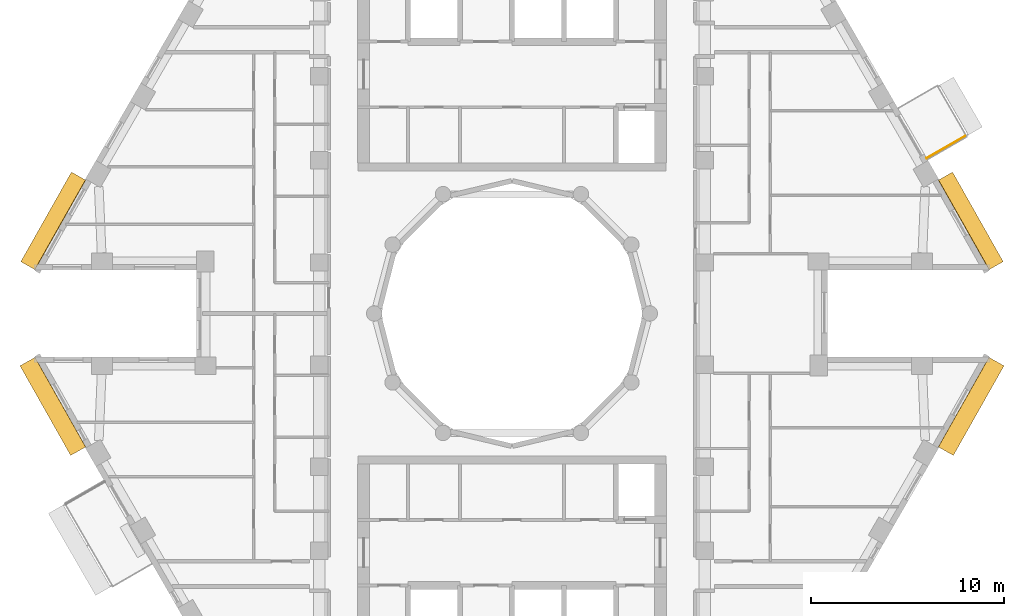
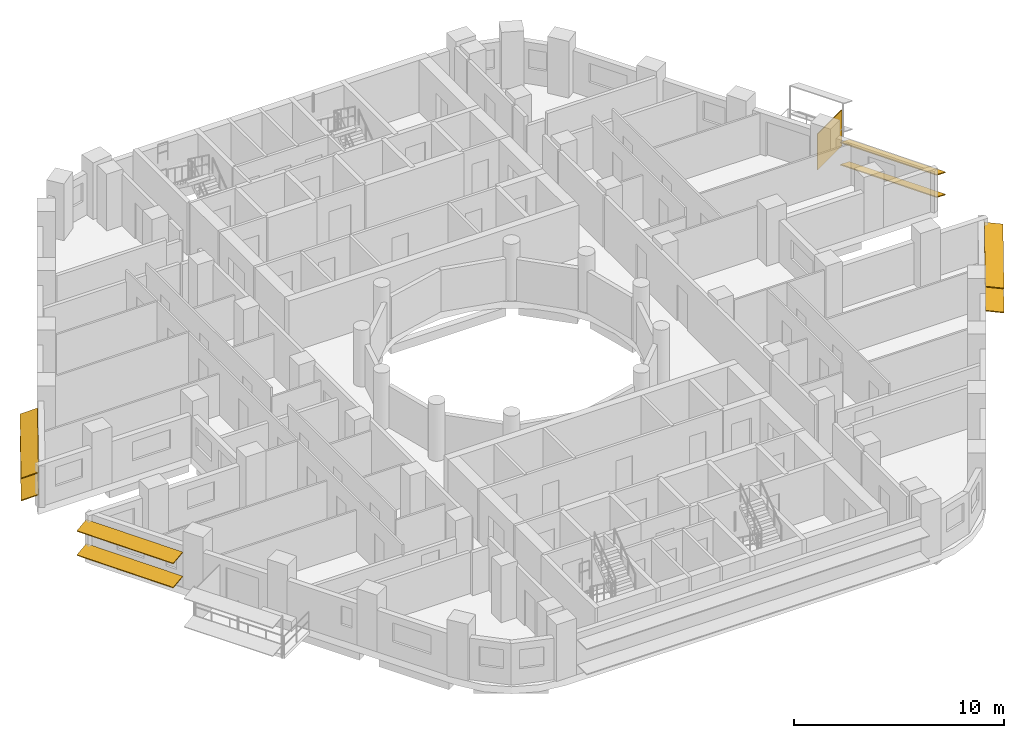
# One storey, part 14 of 16: 9 shading devices.
"""IFC4 building model written with IfcOpenShell, lengths in metres."""

from ifc_helpers import new_model, si_unit, direction, frame, origin, origin_2d, place, context, subcontext, project, spatial, rectangle, extrude, material, layer, layer_set, material_profile, profile_set, type_object, element, save


model = new_model("IFC4")

# Units and contexts
model_context = context("Model", 3, precision=1e-05, world=origin(), true_north=direction((0.0, 1.0)))
body_context = subcontext(model_context, "Body", "Model", "MODEL_VIEW")
ifc_project = project(units=[si_unit("LENGTHUNIT", "METRE"), si_unit("AREAUNIT", "SQUARE_METRE"), si_unit("VOLUMEUNIT", "CUBIC_METRE"), si_unit("PLANEANGLEUNIT", "RADIAN"), si_unit("MASSUNIT", "GRAM", prefix="KILO")], contexts=[model_context])

# Site, building, storey
site_placement = place(None, origin())
site = spatial("IfcSite", under=ifc_project, at=site_placement, CompositionType="ELEMENT")
building_placement = place(site_placement, origin())
building = spatial("IfcBuilding", under=site, at=building_placement, Name="Nakaniwa Court", CompositionType="ELEMENT")
storey_placement = place(building_placement, frame((0.0, 0.0, 226.199951171875)))
storey = spatial("IfcBuildingStorey", under=building, at=storey_placement, Name="L58", CompositionType="ELEMENT", Elevation=226.199951171875)

# Shading devices
ifc_material_1 = material(Name="Black powder-coated aluminium slat screen", Category="aluminium")
ifc_layer = layer(ifc_material_1, 0.0400390625)
ifc_layer_set = layer_set([ifc_layer], Name="Black powder-coated aluminium slat screen")
shading_device_type_1 = type_object("IfcShadingDeviceType", Name="Koshi screen black metal", PredefinedType="USERDEFINED", material=ifc_layer_set)
shading_device_placement = place(storey_placement, frame((102.50390625, 88.632080078125, -0.050048828125), z_axis=(0.0, 0.0, 1.0), x_axis=(-0.499986396443, 0.866033257659, 0.0)))
element("IfcShadingDevice", 1, at=shading_device_placement, inside=storey, type_object=shading_device_type_1, Name="L58 balcony SCREEN 02 W", ObjectType="KOSHI SCREEN", PredefinedType="USERDEFINED", context=body_context, shape_type="SweptSolid", body=[
    extrude(rectangle(XDim=0.0400390625, YDim=2.31005859375, at=origin_2d()), origin(), (0.0, 0.0, 1.0), 2.10009765625),
])
ifc_material_2 = material(Name="Perforated charcoal ceramic louvre blade")
ifc_material_profile = material_profile(ifc_material_2, rectangle(XDim=0.89990234375, YDim=0.050048828125, at=origin_2d()), Name="Perforated ceramic louvre blade")
ifc_profile_set = profile_set([ifc_material_profile], Name="Perforated charcoal ceramic louvre blade")
shading_device_type_2 = type_object("IfcShadingDeviceType", Name="Perforated ceramic louvre blade", PredefinedType="JALOUSIE", material=ifc_profile_set)
for number, where, z_axis, x_axis, name in (
    (2, (105.103759765625, 82.480224609375, 0.550048828125), (-0.492088911474, 0.870544946114, 0.0), (-0.804858877011, -0.454958851288, 0.38107037635), "L58 perforated ceramic louvre blade w02 1"),
    (3, (105.103759765625, 82.480224609375, 1.845458984375), (-0.492088911474, 0.870544946114, 0.0), (-0.804858877011, -0.454958851288, 0.38107037635), "L58 perforated ceramic louvre blade w02 2"),
    (4, (57.5224609375, 87.126220703125, 0.550048828125), (-0.492088911474, -0.870544946114, 0.0), (0.804858877011, -0.454958851288, 0.38107037635), "L58 perforated ceramic louvre blade w14 1"),
    (5, (57.5224609375, 87.126220703125, 1.845458984375), (-0.492088911474, -0.870544946114, 0.0), (0.804858877011, -0.454958851288, 0.38107037635), "L58 perforated ceramic louvre blade w14 2"),
):
    element("IfcShadingDevice", number, at=place(storey_placement, frame(where, z_axis=z_axis, x_axis=x_axis)), inside=storey, type_object=shading_device_type_2, Name=name, PredefinedType="JALOUSIE", context=body_context, shape_type="SweptSolid", body=[
        extrude(rectangle(XDim=0.89990234375, YDim=0.050048828125, at=origin_2d()), origin(), (0.0, 0.0, 1.0), 5.3369140625),
    ])
for number, where, z_axis, x_axis, name in (
    (6, (54.87548828125, 77.508056640625, 0.550048828125), (0.492108509021, -0.870533868008, 0.0), (0.862886698285, 0.487785601632, 0.132256390257), "L58 perforated ceramic louvre blade w20 1"),
    (7, (54.87548828125, 77.508056640625, 1.955810546875), (0.492108509021, -0.870533868008, 0.0), (0.862886698285, 0.487785601632, 0.132256390257), "L58 perforated ceramic louvre blade w20 2"),
    (8, (102.498291015625, 72.8623046875, 0.550048828125), (0.492108509021, 0.870533868008, 0.0), (-0.862886698285, 0.487785601632, 0.132256390257), "L58 perforated ceramic louvre blade w32 1"),
    (9, (102.498291015625, 72.8623046875, 1.955810546875), (0.492108509021, 0.870533868008, 0.0), (-0.862886698285, 0.487785601632, 0.132256390257), "L58 perforated ceramic louvre blade w32 2"),
):
    element("IfcShadingDevice", number, at=place(storey_placement, frame(where, z_axis=z_axis, x_axis=x_axis)), inside=storey, type_object=shading_device_type_2, Name=name, PredefinedType="JALOUSIE", context=body_context, shape_type="SweptSolid", body=[
        extrude(rectangle(XDim=0.89990234375, YDim=0.050048828125, at=origin_2d()), origin(), (0.0, 0.0, 1.0), 5.336669921875),
    ])

save(model, "model.ifc")
